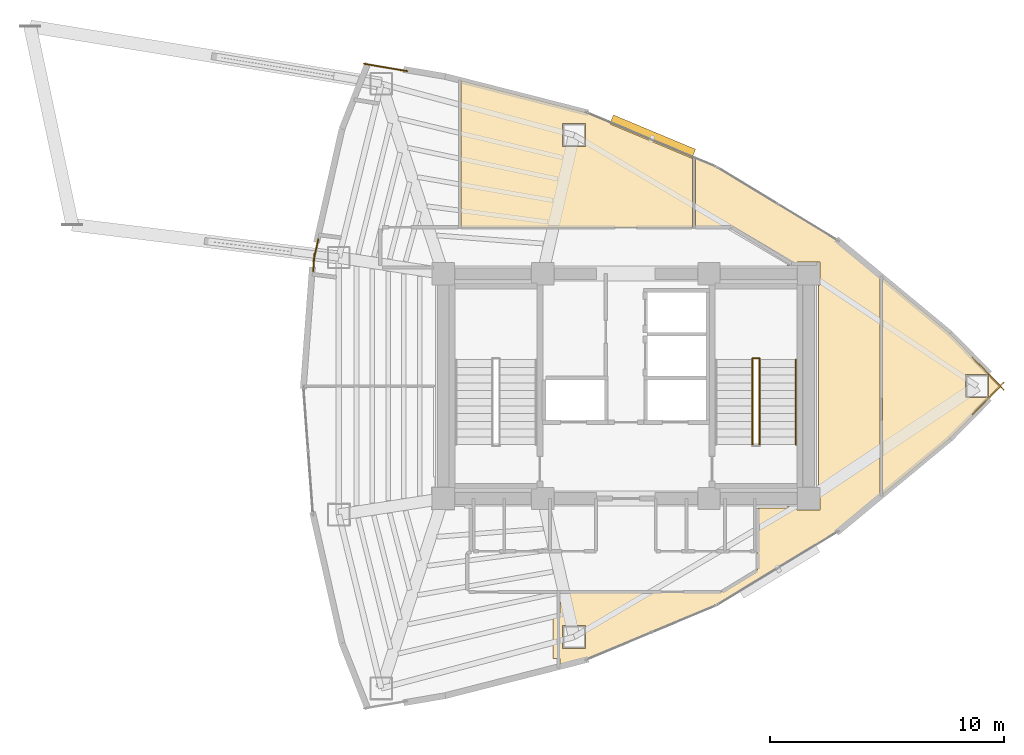
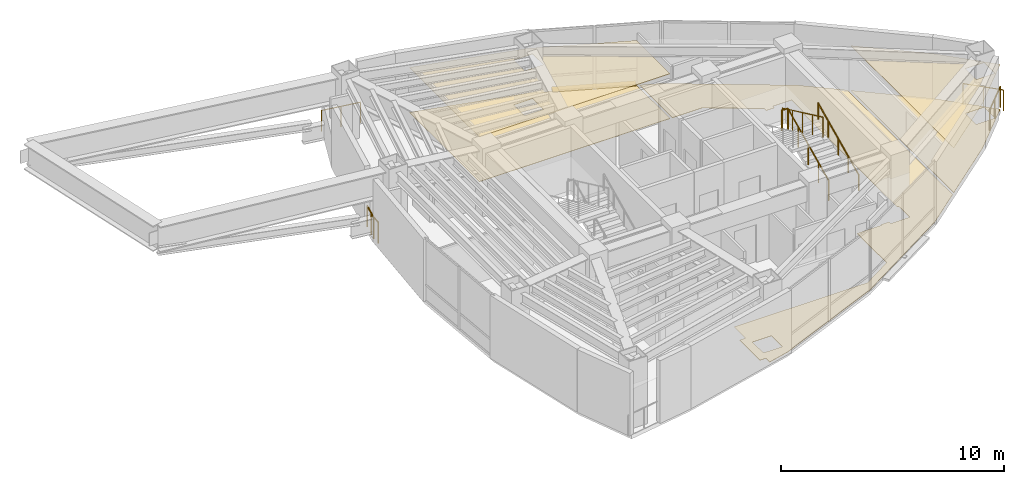
# One storey, part 14 of 14: 9 railings, 5 coverings, 1 shading device.
"""IFC4 building model written with IfcOpenShell, lengths in metres."""

from ifc_helpers import new_model, si_unit, direction, frame, origin, origin_2d, place, context, subcontext, project, spatial, polyline, rectangle, circle, outline, extrude, material, layer, layer_set, type_object, element, save


model = new_model("IFC4")

# Units and contexts
model_context = context("Model", 3, precision=1e-05, world=origin(), true_north=direction((0.0, 1.0)))
body_context = subcontext(model_context, "Body", "Model", "MODEL_VIEW")
ifc_project = project(units=[si_unit("LENGTHUNIT", "METRE"), si_unit("AREAUNIT", "SQUARE_METRE"), si_unit("VOLUMEUNIT", "CUBIC_METRE"), si_unit("PLANEANGLEUNIT", "RADIAN"), si_unit("MASSUNIT", "GRAM", prefix="KILO")], contexts=[model_context])

# Site, building, storey
site_placement = place(None, origin())
site = spatial("IfcSite", under=ifc_project, at=site_placement, CompositionType="ELEMENT")
building_placement = place(site_placement, origin())
building = spatial("IfcBuilding", under=site, at=building_placement, Name="Menara Vayukalpa", CompositionType="ELEMENT")
storey_placement = place(building_placement, frame((0.0, 0.0, 191.52001953125)))
storey = spatial("IfcBuildingStorey", under=building, at=storey_placement, Name="L48", CompositionType="ELEMENT", Elevation=191.52001953125)

# Coverings
ifc_material_1 = material(Name="Mineral Fibre Acoustic Ceiling Tile", Category="masonry")
ifc_layer_1 = layer(ifc_material_1, 0.02490234375)
ifc_layer_set_1 = layer_set([ifc_layer_1], Name="Mineral Fibre Acoustic Ceiling Tile")
covering_type_1 = type_object("IfcCoveringType", Name="COV-CLG1", PredefinedType="CEILING", material=ifc_layer_set_1)
covering_1_placement = place(storey_placement, frame((0.0, 0.0, 2.449951171875)))
element("IfcCovering", 1, at=covering_1_placement, inside=storey, type_object=covering_type_1, Name="L48 Corporate Training Classroom Acoustic Ceiling", PredefinedType="CEILING", context=body_context, shape_type="SweptSolid", body=[
    extrude(outline(polyline([(41.61962890625, 22.007080078125), (41.620361328125, 22.00634765625), (41.620849609375, 22.005615234375), (41.621337890625, 22.004638671875), (41.621826171875, 22.00390625), (41.6220703125, 22.0029296875), (41.622314453125, 22.001953125), (41.62255859375, 22.0009765625), (41.62255859375, 22.0), (41.62255859375, 21.9990234375), (41.622314453125, 21.998046875), (41.6220703125, 21.9970703125), (41.621826171875, 21.99609375), (41.621337890625, 21.995361328125), (41.620849609375, 21.994384765625), (41.620361328125, 21.99365234375), (41.61962890625, 21.992919921875), (39.4326171875, 19.765625), (39.431884765625, 19.764892578125), (36.576416015625, 17.396728515625), (36.57568359375, 17.396240234375), (36.57470703125, 17.395751953125), (36.573974609375, 17.395263671875), (36.572998046875, 17.39501953125), (36.572021484375, 17.394775390625), (36.571044921875, 17.39453125), (36.570068359375, 17.39453125), (36.569091796875, 17.39453125), (36.568115234375, 17.394775390625), (36.567138671875, 17.39501953125), (36.566162109375, 17.395263671875), (36.565185546875, 17.395751953125), (36.564453125, 17.396240234375), (36.563720703125, 17.396728515625), (36.56298828125, 17.3974609375), (36.562255859375, 17.398193359375), (36.561767578125, 17.39892578125), (36.561279296875, 17.39990234375), (36.560791015625, 17.400634765625), (36.560302734375, 17.401611328125), (36.560302734375, 17.402587890625), (36.56005859375, 17.403564453125), (36.56005859375, 17.404541015625), (36.56005859375, 26.595458984375), (36.56005859375, 26.596435546875), (36.560302734375, 26.597412109375), (36.560302734375, 26.598388671875), (36.560791015625, 26.599365234375), (36.561279296875, 26.60009765625), (36.561767578125, 26.60107421875), (36.562255859375, 26.601806640625), (36.56298828125, 26.6025390625), (36.563720703125, 26.603271484375), (36.564453125, 26.603759765625), (36.565185546875, 26.604248046875), (36.566162109375, 26.604736328125), (36.567138671875, 26.60498046875), (36.568115234375, 26.605224609375), (36.569091796875, 26.60546875), (36.570068359375, 26.60546875), (36.571044921875, 26.60546875), (36.572021484375, 26.605224609375), (36.572998046875, 26.60498046875), (36.573974609375, 26.604736328125), (36.57470703125, 26.604248046875), (36.57568359375, 26.603759765625), (36.576416015625, 26.603271484375), (39.431884765625, 24.235107421875), (39.4326171875, 24.234375), (41.61962890625, 22.007080078125)]), holes=[polyline([(41.08056640625, 22.489990234375), (40.1005859375, 22.489990234375), (40.1005859375, 21.510009765625), (41.08056640625, 21.510009765625), (41.08056640625, 22.489990234375)])]), origin(), (0.0, 0.0, 1.0), 0.025146484375),
])
covering_2_placement = place(storey_placement, frame((0.0, 0.0, 2.449951171875)))
element("IfcCovering", 2, at=covering_2_placement, inside=storey, type_object=covering_type_1, Name="L48 Executive Boardroom Acoustic Ceiling", PredefinedType="CEILING", context=body_context, shape_type="SweptSolid", body=[
    extrude(outline(polyline([(28.433837890625, 31.7763671875), (28.434814453125, 31.77587890625), (28.435546875, 31.775390625), (28.436279296875, 31.77490234375), (28.43701171875, 31.7744140625), (28.437744140625, 31.7734375), (28.438232421875, 31.772705078125), (28.438720703125, 31.77197265625), (28.439208984375, 31.77099609375), (28.439697265625, 31.77001953125), (28.439697265625, 31.76904296875), (28.43994140625, 31.768310546875), (28.43994140625, 31.76708984375), (28.43994140625, 28.780029296875), (28.43994140625, 28.779052734375), (28.439697265625, 28.778076171875), (28.439697265625, 28.777099609375), (28.439208984375, 28.776123046875), (28.438720703125, 28.775390625), (28.438232421875, 28.7744140625), (28.437744140625, 28.773681640625), (28.43701171875, 28.77294921875), (28.436279296875, 28.772216796875), (28.435546875, 28.771728515625), (28.434814453125, 28.771240234375), (28.433837890625, 28.770751953125), (28.432861328125, 28.7705078125), (28.431884765625, 28.770263671875), (28.430908203125, 28.77001953125), (28.429931640625, 28.77001953125), (18.570068359375, 28.77001953125), (18.569091796875, 28.77001953125), (18.568115234375, 28.770263671875), (18.567138671875, 28.7705078125), (18.566162109375, 28.770751953125), (18.565185546875, 28.771240234375), (18.564453125, 28.771728515625), (18.563720703125, 28.772216796875), (18.56298828125, 28.77294921875), (18.562255859375, 28.773681640625), (18.561767578125, 28.7744140625), (18.561279296875, 28.775390625), (18.560791015625, 28.776123046875), (18.560302734375, 28.777099609375), (18.560302734375, 28.778076171875), (18.56005859375, 28.779052734375), (18.56005859375, 28.780029296875), (18.56005859375, 35.0244140625), (18.56005859375, 35.025390625), (18.560302734375, 35.0263671875), (18.560302734375, 35.027099609375), (18.560791015625, 35.028076171875), (18.56103515625, 35.029052734375), (18.5615234375, 35.02978515625), (18.562255859375, 35.030517578125), (18.562744140625, 35.03125), (18.5634765625, 35.031982421875), (18.564208984375, 35.03271484375), (18.565185546875, 35.033203125), (18.56591796875, 35.033447265625), (18.56689453125, 35.033935546875), (18.567626953125, 35.0341796875), (18.568603515625, 35.0341796875), (18.569580078125, 35.034423828125), (18.570556640625, 35.034423828125), (18.571533203125, 35.0341796875), (18.572509765625, 35.0341796875), (23.884765625, 33.67919921875), (23.885986328125, 33.6787109375), (28.433837890625, 31.7763671875)]), holes=[polyline([(23.87939453125, 32.218505859375), (23.87939453125, 33.198486328125), (22.8994140625, 33.198486328125), (22.8994140625, 32.218505859375), (23.87939453125, 32.218505859375)])]), origin(), (0.0, 0.0, 1.0), 0.025146484375),
])
ifc_material_2 = material(Name="Porcelain Stoneware Floor Tile", Category="masonry")
ifc_layer_2 = layer(ifc_material_2, 0.02001953125)
ifc_layer_set_2 = layer_set([ifc_layer_2], Name="Porcelain Stoneware Floor Tile")
covering_type_2 = type_object("IfcCoveringType", Name="COV-FLR1", PredefinedType="FLOORING", material=ifc_layer_set_2)
covering_3_placement = place(storey_placement, origin())
element("IfcCovering", 3, at=covering_3_placement, inside=storey, type_object=covering_type_2, Name="L48 Staff Dining and Pantry Porcelain Flooring", PredefinedType="FLOORING", context=body_context, shape_type="SweptSolid", body=[
    extrude(outline(polyline([(22.784912109375, 13.2099609375), (22.784912109375, 13.2109375), (22.78515625, 13.2119140625), (22.785400390625, 13.212890625), (22.78564453125, 13.2138671875), (22.7861328125, 13.214599609375), (22.78662109375, 13.215576171875), (22.787109375, 13.21630859375), (22.787841796875, 13.217041015625), (22.78857421875, 13.2177734375), (22.789306640625, 13.21826171875), (22.790283203125, 13.21875), (22.791015625, 13.21923828125), (22.7919921875, 13.219482421875), (22.79296875, 13.2197265625), (22.7939453125, 13.219970703125), (22.794921875, 13.219970703125), (29.667236328125, 13.219970703125), (29.673828125, 13.22021484375), (29.68017578125, 13.22119140625), (29.686279296875, 13.22265625), (29.6923828125, 13.224609375), (29.6982421875, 13.22705078125), (29.7041015625, 13.230224609375), (31.18603515625, 14.130615234375), (31.1923828125, 14.134765625), (31.19775390625, 14.139404296875), (31.20263671875, 14.14453125), (31.20703125, 14.150146484375), (31.2109375, 14.15625), (31.214111328125, 14.16259765625), (31.216552734375, 14.16943359375), (31.218505859375, 14.176513671875), (31.219482421875, 14.183349609375), (31.219970703125, 14.19091796875), (31.219970703125, 14.849609375), (31.219482421875, 14.856689453125), (31.21875, 14.86376953125), (31.217041015625, 14.870361328125), (31.214599609375, 14.876708984375), (31.2119140625, 14.8828125), (31.211669921875, 14.883056640625), (31.211181640625, 14.8837890625), (31.210693359375, 14.884765625), (31.21044921875, 14.8857421875), (31.210205078125, 14.88671875), (31.2099609375, 14.8876953125), (31.2099609375, 14.888671875), (31.2099609375, 16.780029296875), (31.2099609375, 16.781005859375), (31.210205078125, 16.781982421875), (31.21044921875, 16.782958984375), (31.210693359375, 16.78369140625), (31.211181640625, 16.78466796875), (31.211669921875, 16.78564453125), (31.21240234375, 16.786376953125), (31.212890625, 16.787109375), (31.213623046875, 16.78759765625), (31.21435546875, 16.788330078125), (31.21533203125, 16.788818359375), (31.21630859375, 16.789306640625), (31.217041015625, 16.78955078125), (31.218017578125, 16.789794921875), (31.218994140625, 16.7900390625), (31.219970703125, 16.7900390625), (32.489990234375, 16.7900390625), (32.489990234375, 16.85009765625), (32.909912109375, 16.85009765625), (32.909912109375, 16.7099609375), (33.889892578125, 16.7099609375), (33.889892578125, 17.68994140625), (33.81005859375, 17.68994140625), (33.81005859375, 26.31005859375), (33.889892578125, 26.31005859375), (33.889892578125, 27.2900390625), (32.909912109375, 27.2900390625), (32.909912109375, 27.14990234375), (32.489990234375, 27.14990234375), (32.489990234375, 27.322265625), (30.12353515625, 28.759765625), (30.117919921875, 28.762939453125), (30.112060546875, 28.765380859375), (30.10595703125, 28.767333984375), (30.099609375, 28.768798828125), (30.093505859375, 28.769775390625), (30.0869140625, 28.77001953125), (28.570068359375, 28.77001953125), (28.569091796875, 28.77001953125), (28.568115234375, 28.770263671875), (28.567138671875, 28.7705078125), (28.566162109375, 28.770751953125), (28.565185546875, 28.771240234375), (28.564453125, 28.771728515625), (28.563720703125, 28.772216796875), (28.56298828125, 28.77294921875), (28.562255859375, 28.773681640625), (28.561767578125, 28.7744140625), (28.561279296875, 28.775390625), (28.560791015625, 28.776123046875), (28.560302734375, 28.777099609375), (28.560302734375, 28.778076171875), (28.56005859375, 28.779052734375), (28.56005859375, 28.780029296875), (28.56005859375, 31.708740234375), (28.56005859375, 31.709716796875), (28.560302734375, 31.710693359375), (28.560302734375, 31.711669921875), (28.560791015625, 31.71240234375), (28.561279296875, 31.71337890625), (28.561767578125, 31.71435546875), (28.562255859375, 31.715087890625), (28.56298828125, 31.7158203125), (28.563720703125, 31.71630859375), (28.564453125, 31.717041015625), (28.565185546875, 31.717529296875), (28.566162109375, 31.718017578125), (28.567138671875, 31.71826171875), (28.568115234375, 31.718505859375), (28.569091796875, 31.71875), (28.570068359375, 31.71875), (28.571044921875, 31.718505859375), (28.572021484375, 31.718505859375), (28.572998046875, 31.71826171875), (28.573974609375, 31.718017578125), (29.478515625, 31.33935546875), (29.479248046875, 31.339111328125), (29.47998046875, 31.338623046875), (34.660888671875, 28.19140625), (34.662109375, 28.190673828125), (36.438720703125, 26.71728515625), (36.439208984375, 26.716796875), (36.43994140625, 26.7158203125), (36.440673828125, 26.715087890625), (36.441162109375, 26.714111328125), (36.44140625, 26.71337890625), (36.44189453125, 26.71240234375), (36.442138671875, 26.711181640625), (36.442138671875, 26.710205078125), (36.442138671875, 26.709228515625), (36.442138671875, 26.708251953125), (36.44189453125, 26.707275390625), (36.441162109375, 26.7041015625), (36.440185546875, 26.6982421875), (36.43994140625, 26.6923828125), (36.43994140625, 17.3076171875), (36.440185546875, 17.3017578125), (36.441162109375, 17.2958984375), (36.44189453125, 17.292724609375), (36.442138671875, 17.291748046875), (36.442138671875, 17.290771484375), (36.442138671875, 17.289794921875), (36.442138671875, 17.288818359375), (36.44189453125, 17.28759765625), (36.44140625, 17.28662109375), (36.441162109375, 17.285888671875), (36.440673828125, 17.284912109375), (36.43994140625, 17.2841796875), (36.439208984375, 17.283203125), (36.438720703125, 17.28271484375), (34.662109375, 15.809326171875), (34.660888671875, 15.80859375), (29.47998046875, 12.661376953125), (29.479248046875, 12.660888671875), (29.478515625, 12.66064453125), (23.885986328125, 10.3212890625), (23.884765625, 10.32080078125), (22.79736328125, 10.04345703125), (22.79638671875, 10.043212890625), (22.79541015625, 10.043212890625), (22.79443359375, 10.043212890625), (22.793701171875, 10.043212890625), (22.79248046875, 10.04345703125), (22.791748046875, 10.043701171875), (22.790771484375, 10.0439453125), (22.7900390625, 10.04443359375), (22.7890625, 10.044921875), (22.788330078125, 10.04541015625), (22.78759765625, 10.046142578125), (22.787109375, 10.046875), (22.78662109375, 10.047607421875), (22.785888671875, 10.048583984375), (22.78564453125, 10.04931640625), (22.785400390625, 10.05029296875), (22.78515625, 10.05126953125), (22.784912109375, 10.052001953125), (22.784912109375, 10.052978515625), (22.784912109375, 10.381591796875), (22.4794921875, 10.381591796875), (22.4794921875, 12.20166015625), (22.784912109375, 12.20166015625), (22.784912109375, 13.2099609375)]), holes=[polyline([(23.87939453125, 11.781494140625), (22.8994140625, 11.781494140625), (22.8994140625, 10.801513671875), (23.87939453125, 10.801513671875), (23.87939453125, 11.781494140625)])]), origin(), (0.0, 0.0, 1.0), 0.02001953125),
])
covering_4_placement = place(storey_placement, origin())
element("IfcCovering", 4, at=covering_4_placement, inside=storey, type_object=covering_type_2, Name="L48 Corporate Training Classroom Porcelain Flooring", PredefinedType="FLOORING", context=body_context, shape_type="SweptSolid", body=[
    extrude(outline(polyline([(41.61962890625, 22.007080078125), (41.620361328125, 22.00634765625), (41.620849609375, 22.005615234375), (41.621337890625, 22.004638671875), (41.621826171875, 22.00390625), (41.6220703125, 22.0029296875), (41.622314453125, 22.001953125), (41.62255859375, 22.0009765625), (41.62255859375, 22.0), (41.62255859375, 21.9990234375), (41.622314453125, 21.998046875), (41.6220703125, 21.9970703125), (41.621826171875, 21.99609375), (41.621337890625, 21.995361328125), (41.620849609375, 21.994384765625), (41.620361328125, 21.99365234375), (41.61962890625, 21.992919921875), (39.4326171875, 19.765625), (39.431884765625, 19.764892578125), (36.576416015625, 17.396728515625), (36.57568359375, 17.396240234375), (36.57470703125, 17.395751953125), (36.573974609375, 17.395263671875), (36.572998046875, 17.39501953125), (36.572021484375, 17.394775390625), (36.571044921875, 17.39453125), (36.570068359375, 17.39453125), (36.569091796875, 17.39453125), (36.568115234375, 17.394775390625), (36.567138671875, 17.39501953125), (36.566162109375, 17.395263671875), (36.565185546875, 17.395751953125), (36.564453125, 17.396240234375), (36.563720703125, 17.396728515625), (36.56298828125, 17.3974609375), (36.562255859375, 17.398193359375), (36.561767578125, 17.39892578125), (36.561279296875, 17.39990234375), (36.560791015625, 17.400634765625), (36.560302734375, 17.401611328125), (36.560302734375, 17.402587890625), (36.56005859375, 17.403564453125), (36.56005859375, 17.404541015625), (36.56005859375, 26.595458984375), (36.56005859375, 26.596435546875), (36.560302734375, 26.597412109375), (36.560302734375, 26.598388671875), (36.560791015625, 26.599365234375), (36.561279296875, 26.60009765625), (36.561767578125, 26.60107421875), (36.562255859375, 26.601806640625), (36.56298828125, 26.6025390625), (36.563720703125, 26.603271484375), (36.564453125, 26.603759765625), (36.565185546875, 26.604248046875), (36.566162109375, 26.604736328125), (36.567138671875, 26.60498046875), (36.568115234375, 26.605224609375), (36.569091796875, 26.60546875), (36.570068359375, 26.60546875), (36.571044921875, 26.60546875), (36.572021484375, 26.605224609375), (36.572998046875, 26.60498046875), (36.573974609375, 26.604736328125), (36.57470703125, 26.604248046875), (36.57568359375, 26.603759765625), (36.576416015625, 26.603271484375), (39.431884765625, 24.235107421875), (39.4326171875, 24.234375), (41.61962890625, 22.007080078125)]), holes=[polyline([(41.08056640625, 22.489990234375), (40.1005859375, 22.489990234375), (40.1005859375, 21.510009765625), (41.08056640625, 21.510009765625), (41.08056640625, 22.489990234375)])]), origin(), (0.0, 0.0, 1.0), 0.02001953125),
])
covering_5_placement = place(storey_placement, origin())
element("IfcCovering", 5, at=covering_5_placement, inside=storey, type_object=covering_type_2, Name="L48 Executive Boardroom Porcelain Flooring", PredefinedType="FLOORING", context=body_context, shape_type="SweptSolid", body=[
    extrude(outline(polyline([(28.433837890625, 31.7763671875), (28.434814453125, 31.77587890625), (28.435546875, 31.775390625), (28.436279296875, 31.77490234375), (28.43701171875, 31.7744140625), (28.437744140625, 31.7734375), (28.438232421875, 31.772705078125), (28.438720703125, 31.77197265625), (28.439208984375, 31.77099609375), (28.439697265625, 31.77001953125), (28.439697265625, 31.76904296875), (28.43994140625, 31.768310546875), (28.43994140625, 31.76708984375), (28.43994140625, 28.780029296875), (28.43994140625, 28.779052734375), (28.439697265625, 28.778076171875), (28.439697265625, 28.777099609375), (28.439208984375, 28.776123046875), (28.438720703125, 28.775390625), (28.438232421875, 28.7744140625), (28.437744140625, 28.773681640625), (28.43701171875, 28.77294921875), (28.436279296875, 28.772216796875), (28.435546875, 28.771728515625), (28.434814453125, 28.771240234375), (28.433837890625, 28.770751953125), (28.432861328125, 28.7705078125), (28.431884765625, 28.770263671875), (28.430908203125, 28.77001953125), (28.429931640625, 28.77001953125), (18.570068359375, 28.77001953125), (18.569091796875, 28.77001953125), (18.568115234375, 28.770263671875), (18.567138671875, 28.7705078125), (18.566162109375, 28.770751953125), (18.565185546875, 28.771240234375), (18.564453125, 28.771728515625), (18.563720703125, 28.772216796875), (18.56298828125, 28.77294921875), (18.562255859375, 28.773681640625), (18.561767578125, 28.7744140625), (18.561279296875, 28.775390625), (18.560791015625, 28.776123046875), (18.560302734375, 28.777099609375), (18.560302734375, 28.778076171875), (18.56005859375, 28.779052734375), (18.56005859375, 28.780029296875), (18.56005859375, 35.0244140625), (18.56005859375, 35.025390625), (18.560302734375, 35.0263671875), (18.560302734375, 35.027099609375), (18.560791015625, 35.028076171875), (18.56103515625, 35.029052734375), (18.5615234375, 35.02978515625), (18.562255859375, 35.030517578125), (18.562744140625, 35.03125), (18.5634765625, 35.031982421875), (18.564208984375, 35.03271484375), (18.565185546875, 35.033203125), (18.56591796875, 35.033447265625), (18.56689453125, 35.033935546875), (18.567626953125, 35.0341796875), (18.568603515625, 35.0341796875), (18.569580078125, 35.034423828125), (18.570556640625, 35.034423828125), (18.571533203125, 35.0341796875), (18.572509765625, 35.0341796875), (23.884765625, 33.67919921875), (23.885986328125, 33.6787109375), (28.433837890625, 31.7763671875)]), holes=[polyline([(23.87939453125, 32.218505859375), (23.87939453125, 33.198486328125), (22.8994140625, 33.198486328125), (22.8994140625, 32.218505859375), (23.87939453125, 32.218505859375)])]), origin(), (0.0, 0.0, 1.0), 0.02001953125),
])

# Railings
ifc_material_3 = material(Name="Laminated Glass and Stainless Steel 316 Guardrail", Category="steel")
railing_type_1 = type_object("IfcRailingType", Name="RLG-EXT115", PredefinedType="GUARDRAIL", material=ifc_material_3)
railing_1_placement = place(storey_placement, frame((40.392333984375, 20.800048828125, 0.0)))
element("IfcRailing", 6, at=railing_1_placement, inside=storey, type_object=railing_type_1, Name="L48 Column Corner Spandrel Guardrail 01-1", PredefinedType="GUARDRAIL", context=body_context, shape_type="SweptSolid", body=[
    extrude(circle(Radius=0.02392578125, at=origin_2d()), frame((0.0, 0.0, 1.1259765625), z_axis=(0.700555409966, 0.713598008382, 0.0), x_axis=(-0.713598008382, 0.700555409966, 0.0)), (0.0, 0.0, 1.0), 1.890625),
    extrude(circle(Radius=0.02099609375, at=origin_2d()), origin(), (0.0, 0.0, 1.0), 1.101806640625),
    extrude(circle(Radius=0.02099609375, at=origin_2d()), frame((0.662109375, 0.674560546875, 0.0)), (0.0, 0.0, 1.0), 1.101806640625),
    extrude(circle(Radius=0.02099609375, at=origin_2d()), frame((1.324462890625, 1.34912109375, 0.0)), (0.0, 0.0, 1.0), 1.101806640625),
])
railing_2_placement = place(storey_placement, frame((41.716796875, 21.850830078125, 0.0)))
element("IfcRailing", 7, at=railing_2_placement, inside=storey, type_object=railing_type_1, Name="L48 Column Corner Spandrel Guardrail 02-1", PredefinedType="GUARDRAIL", context=body_context, shape_type="SweptSolid", body=[
    extrude(circle(Radius=0.02392578125, at=origin_2d()), frame((0.0, 0.0, 1.1259765625), z_axis=(-0.700555409966, 0.713598008382, 0.0), x_axis=(-0.713598008382, -0.700555409966, 0.0)), (0.0, 0.0, 1.0), 1.890625),
    extrude(circle(Radius=0.02099609375, at=origin_2d()), origin(), (0.0, 0.0, 1.0), 1.101806640625),
    extrude(circle(Radius=0.02099609375, at=origin_2d()), frame((-0.662109375, 0.674560546875, 0.0)), (0.0, 0.0, 1.0), 1.101806640625),
    extrude(circle(Radius=0.02099609375, at=origin_2d()), frame((-1.324462890625, 1.34912109375, 0.0)), (0.0, 0.0, 1.0), 1.101806640625),
])
railing_3_placement = place(storey_placement, frame((16.256103515625, 35.44580078125, 0.0)))
element("IfcRailing", 8, at=railing_3_placement, inside=storey, type_object=railing_type_1, Name="L48 Column Corner Spandrel Guardrail 07-1", PredefinedType="GUARDRAIL", context=body_context, shape_type="SweptSolid", body=[
    extrude(circle(Radius=0.02392578125, at=origin_2d()), frame((0.0, 0.0, 1.1259765625), z_axis=(-0.985895107684, 0.167364382844, 0.0), x_axis=(-0.167364382844, -0.985895107684, 0.0)), (0.0, 0.0, 1.0), 1.86865234375),
    extrude(circle(Radius=0.02099609375, at=origin_2d()), origin(), (0.0, 0.0, 1.0), 1.101806640625),
    extrude(circle(Radius=0.02099609375, at=origin_2d()), frame((-0.921142578125, 0.15625, 0.0)), (0.0, 0.0, 1.0), 1.101806640625),
    extrude(circle(Radius=0.02099609375, at=origin_2d()), frame((-1.84228515625, 0.312744140625, 0.0)), (0.0, 0.0, 1.0), 1.101806640625),
])
railing_4_placement = place(storey_placement, frame((12.472412109375, 28.27685546875, 0.0)))
element("IfcRailing", 9, at=railing_4_placement, inside=storey, type_object=railing_type_1, Name="L48 Column Corner Spandrel Guardrail 09-1", PredefinedType="GUARDRAIL", context=body_context, shape_type="SweptSolid", body=[
    extrude(circle(Radius=0.02392578125, at=origin_2d()), frame((0.0, 0.0, 1.1259765625), z_axis=(-0.219280679675, -0.975661818214, 0.0), x_axis=(0.975661818214, -0.219280679675, 0.0)), (0.0, 0.0, 1.0), 0.978759765625),
    extrude(circle(Radius=0.02099609375, at=origin_2d()), origin(), (0.0, 0.0, 1.0), 1.101806640625),
    extrude(circle(Radius=0.02099609375, at=origin_2d()), frame((-0.214599609375, -0.954833984375, 0.0)), (0.0, 0.0, 1.0), 1.101806640625),
])
railing_5_placement = place(storey_placement, frame((12.305908203125, 27.64501953125, 0.0)))
element("IfcRailing", 10, at=railing_5_placement, inside=storey, type_object=railing_type_1, Name="L48 Column Corner Spandrel Guardrail 10-1", PredefinedType="GUARDRAIL", context=body_context, shape_type="SweptSolid", body=[
    extrude(circle(Radius=0.02392578125, at=origin_2d()), frame((0.0, 0.0, 1.1259765625), z_axis=(-0.074978808847, -0.997185127358, 0.0), x_axis=(0.997185127358, -0.074978808847, 0.0)), (0.0, 0.0, 1.0), 0.7392578125),
    extrude(circle(Radius=0.02099609375, at=origin_2d()), origin(), (0.0, 0.0, 1.0), 1.101806640625),
    extrude(circle(Radius=0.02099609375, at=origin_2d()), frame((-0.055419921875, -0.737060546875, 0.0)), (0.0, 0.0, 1.0), 1.101806640625),
])
ifc_material_4 = material(Name="Powder-Coated Galvanised Steel Guardrail", Category="steel")
railing_type_2 = type_object("IfcRailingType", Name="RLG-STG110", PredefinedType="GUARDRAIL", material=ifc_material_4)
railing_6_placement = place(storey_placement, frame((31.300048828125, 19.5, 0.155029296875)))
element("IfcRailing", 11, at=railing_6_placement, inside=storey, type_object=railing_type_2, Name="L48 ST-2 stair guard 1", PredefinedType="GUARDRAIL", context=body_context, shape_type="SweptSolid", body=[
    extrude(circle(Radius=0.02392578125, at=origin_2d()), frame((0.0, 0.0, 1.09619140625), z_axis=(0.0, 0.90513990983, 0.425113800803), x_axis=(-1.0, 0.0, 0.0)), (0.0, 0.0, 1.0), 4.01025390625),
    extrude(circle(Radius=0.02099609375, at=origin_2d()), origin(), (0.0, 0.0, 1.0), 1.072021484375),
    extrude(circle(Radius=0.02099609375, at=origin_2d()), frame((0.0, 0.907470703125, 0.42626953125)), (0.0, 0.0, 1.0), 1.072021484375),
    extrude(circle(Radius=0.02099609375, at=origin_2d()), frame((0.0, 1.81494140625, 0.8525390625)), (0.0, 0.0, 1.0), 1.072021484375),
    extrude(circle(Radius=0.02099609375, at=origin_2d()), frame((0.0, 2.722412109375, 1.278564453125)), (0.0, 0.0, 1.0), 1.072021484375),
    extrude(circle(Radius=0.02099609375, at=origin_2d()), frame((0.0, 3.6298828125, 1.704833984375)), (0.0, 0.0, 1.0), 1.072021484375),
])
railing_7_placement = place(storey_placement, frame((31.31005859375, 23.179931640625, 1.85986328125)))
element("IfcRailing", 12, at=railing_7_placement, inside=storey, type_object=railing_type_2, Name="L48 ST-2 stair guard 2", PredefinedType="GUARDRAIL", context=body_context, shape_type="SweptSolid", body=[
    extrude(circle(Radius=0.02392578125, at=origin_2d()), frame((0.0, 0.0, 1.09619140625), z_axis=(-1.0, 0.0, 0.0), x_axis=(0.0, -1.0, 0.0)), (0.0, 0.0, 1.0), 0.320068359375),
    extrude(circle(Radius=0.02099609375, at=origin_2d()), origin(), (0.0, 0.0, 1.0), 1.072021484375),
    extrude(circle(Radius=0.02099609375, at=origin_2d()), frame((-0.320068359375, 0.0, 0.0)), (0.0, 0.0, 1.0), 1.072021484375),
])
railing_8_placement = place(storey_placement, frame((31.0, 23.1298828125, 2.014892578125)))
element("IfcRailing", 13, at=railing_8_placement, inside=storey, type_object=railing_type_2, Name="L48 ST-2 stair guard 3", PredefinedType="GUARDRAIL", context=body_context, shape_type="SweptSolid", body=[
    extrude(circle(Radius=0.02392578125, at=origin_2d()), frame((0.0, 0.0, 1.09619140625), z_axis=(0.0, -0.90511648382, 0.425163675209), x_axis=(1.0, 0.0, 0.0)), (0.0, 0.0, 1.0), 4.010498046875),
    extrude(circle(Radius=0.02099609375, at=origin_2d()), origin(), (0.0, 0.0, 1.0), 1.072021484375),
    extrude(circle(Radius=0.02099609375, at=origin_2d()), frame((0.0, -0.907470703125, 0.42626953125)), (0.0, 0.0, 1.0), 1.072021484375),
    extrude(circle(Radius=0.02099609375, at=origin_2d()), frame((0.0, -1.81494140625, 0.8525390625)), (0.0, 0.0, 1.0), 1.072021484375),
    extrude(circle(Radius=0.02099609375, at=origin_2d()), frame((0.0, -2.722412109375, 1.27880859375)), (0.0, 0.0, 1.0), 1.072021484375),
    extrude(circle(Radius=0.02099609375, at=origin_2d()), frame((0.0, -3.6298828125, 1.705078125)), (0.0, 0.0, 1.0), 1.072021484375),
])
ifc_material_5 = material(Name="Stainless Steel 316 Tubular Handrail", Category="steel")
railing_type_3 = type_object("IfcRailingType", Name="RLG-STH090", PredefinedType="HANDRAIL", material=ifc_material_5)
railing_9_placement = place(storey_placement, frame((32.85009765625, 19.5, 0.155029296875)))
element("IfcRailing", 14, at=railing_9_placement, inside=storey, type_object=railing_type_3, Name="L48 ST-2 stair handrail 1", PredefinedType="HANDRAIL", context=body_context, shape_type="SweptSolid", body=[
    extrude(circle(Radius=0.02392578125, at=origin_2d()), frame((0.0, 0.0, 0.8759765625), z_axis=(0.0, 0.90513990983, 0.425113800803), x_axis=(-1.0, 0.0, 0.0)), (0.0, 0.0, 1.0), 4.01025390625),
    extrude(circle(Radius=0.02099609375, at=origin_2d()), origin(), (0.0, 0.0, 1.0), 0.851806640625),
    extrude(circle(Radius=0.02099609375, at=origin_2d()), frame((0.0, 0.907470703125, 0.42626953125)), (0.0, 0.0, 1.0), 0.851806640625),
    extrude(circle(Radius=0.02099609375, at=origin_2d()), frame((0.0, 1.81494140625, 0.8525390625)), (0.0, 0.0, 1.0), 0.851806640625),
    extrude(circle(Radius=0.02099609375, at=origin_2d()), frame((0.0, 2.722412109375, 1.278564453125)), (0.0, 0.0, 1.0), 0.851806640625),
    extrude(circle(Radius=0.02099609375, at=origin_2d()), frame((0.0, 3.6298828125, 1.704833984375)), (0.0, 0.0, 1.0), 0.851806640625),
])

# Shading device
ifc_material_6 = material(Name="Glazed Terracotta Ceramic Baguette Extrusion", Category="masonry")
ifc_layer_3 = layer(ifc_material_6, 0.1201171875)
ifc_layer_set_3 = layer_set([ifc_layer_3], Name="Glazed Terracotta Ceramic Baguette Extrusion")
shading_device_type = type_object("IfcShadingDeviceType", Name="SHD-SS1", PredefinedType="USERDEFINED", material=ifc_layer_set_3)
shading_device_placement = place(storey_placement, frame((26.740234375, 32.6474609375, -0.10009765625), z_axis=(0.0, 0.0, 1.0), x_axis=(-0.922538089456, 0.385906042324, 0.0)))
element("IfcShadingDevice", 15, at=shading_device_placement, inside=storey, type_object=shading_device_type, Name="L48 Horizontal Terracotta Sunshade Band 05", ObjectType="SUNSHADE", PredefinedType="USERDEFINED", context=body_context, shape_type="SweptSolid", body=[
    extrude(rectangle(XDim=3.800048828125, YDim=0.419921875, at=origin_2d()), origin(), (0.0, 0.0, 1.0), 0.1201171875),
])

save(model, "model.ifc")
